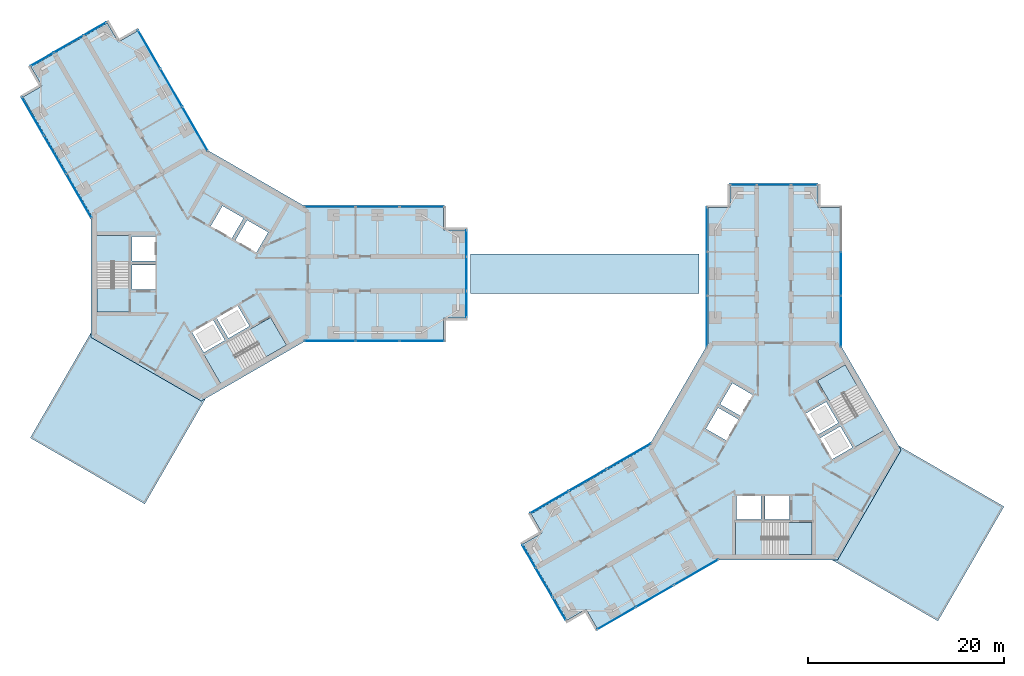
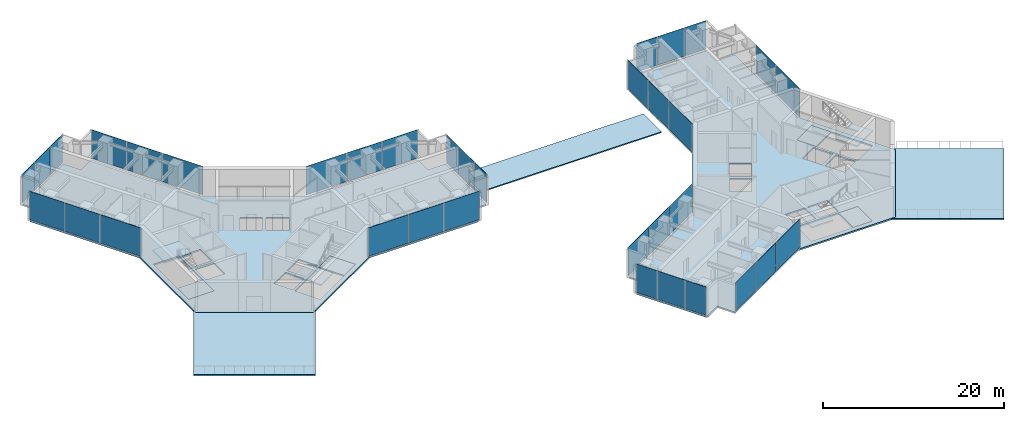
# One storey, part 10 of 18: 35 plates, 13 slabs, 16 elements without a shape of their own.
"""IFC4 building model written with IfcOpenShell, lengths in metres."""

from ifc_helpers import new_model, si_unit, direction, frame, origin, origin_2d, place, context, subcontext, project, spatial, polyline, rectangle, outline, extrude, material, layer, layer_set, type_object, element, aggregate, save


model = new_model("IFC4")

# Units and contexts
model_context = context("Model", 3, precision=1e-05, world=origin(), true_north=direction((0.0, 1.0)))
body_context = subcontext(model_context, "Body", "Model", "MODEL_VIEW")
ifc_project = project(units=[si_unit("LENGTHUNIT", "METRE"), si_unit("AREAUNIT", "SQUARE_METRE"), si_unit("VOLUMEUNIT", "CUBIC_METRE"), si_unit("PLANEANGLEUNIT", "RADIAN"), si_unit("MASSUNIT", "GRAM", prefix="KILO")], contexts=[model_context])

# Site, building, storey
site_placement = place(None, origin())
site = spatial("IfcSite", under=ifc_project, at=site_placement, CompositionType="ELEMENT")
building_placement = place(site_placement, origin())
building = spatial("IfcBuilding", under=site, at=building_placement, Name="Upepo Twin Towers", CompositionType="ELEMENT")
storey_placement = place(building_placement, frame((0.0, 0.0, 170.5)))
storey = spatial("IfcBuildingStorey", under=building, at=storey_placement, Name="L41", CompositionType="ELEMENT", Elevation=170.5)

# Slab
ifc_material_1 = material(Name="Concrete C40/50 on steel deck", Category="concrete")
ifc_layer_1 = layer(ifc_material_1, 0.14990234375)
ifc_layer_set_1 = layer_set([ifc_layer_1], Name="Concrete C40/50 on steel deck")
slab_type_1 = type_object("IfcSlabType", Name="Bridge roof 150 composite", PredefinedType="ROOF", material=ifc_layer_set_1)
slab_1_placement = place(storey_placement, frame((0.0, 0.0, -0.199951171875)))
element("IfcSlab", 1, at=slab_1_placement, inside=storey, type_object=slab_type_1, Name="BR2 roof slab (maintenance access only)", PredefinedType="ROOF", context=body_context, shape_type="SweptSolid", body=[
    extrude(outline(polyline([(27.5, -2.0), (50.840087890625, -2.0), (50.840087890625, 2.0), (27.5, 2.0), (27.5, -2.0)])), origin(), (0.0, 0.0, 1.0), 0.14990234375),
])

# Curtain wall, plates
ifc_material_2 = material(Name="Aluminium and fritted glass", Category="aluminium")
curtain_wall_type = type_object("IfcCurtainWallType", Name="Tower curtain wall TW3, fritted glass", PredefinedType="NOTDEFINED", material=ifc_material_2)
curtain_wall_1_placement = place(storey_placement, origin())
curtain_wall_1 = element("IfcCurtainWall", 2, at=curtain_wall_1_placement, inside=storey, type_object=curtain_wall_type, Name="T1 L41 wing A flank L curtain wall", PredefinedType="NOTDEFINED")
ifc_material_3 = material(Name="Ceramic-fritted laminated glass", Category="glass")
ifc_layer_2 = layer(ifc_material_3, 0.031982421875)
ifc_layer_set_2 = layer_set([ifc_layer_2], Name="Fritted glass panel, 45 per cent dot frit, 32 mm double glazed")
plate_type_1 = type_object("IfcPlateType", Name="Fritted glass panel, 45 per cent dot frit, 32 mm double glazed", PredefinedType="CURTAIN_PANEL", material=ifc_layer_set_2)
plate_1_placement = place(storey_placement, frame((13.134765625, 6.85009765625, 0.14990234375), z_axis=(0.0, 0.0, 1.0), x_axis=(1.0, 0.0, 0.0)))
plate_1 = element("IfcPlate", 3, at=plate_1_placement, type_object=plate_type_1, Name="T1 L41 wing A flank L curtain wall panel 1", PredefinedType="CURTAIN_PANEL", context=body_context, shape_type="SweptSolid", body=[
    extrude(rectangle(XDim=5.165283203125, YDim=0.031982421875, at=origin_2d()), origin(), (0.0, 0.0, 1.0), 3.85009765625),
])
plate_2_placement = place(storey_placement, frame((18.0, 6.85009765625, 0.14990234375), z_axis=(0.0, 0.0, 1.0), x_axis=(1.0, 0.0, 0.0)))
plate_2 = element("IfcPlate", 4, at=plate_2_placement, type_object=plate_type_1, Name="T1 L41 wing A flank L curtain wall panel 2", PredefinedType="CURTAIN_PANEL", context=body_context, shape_type="SweptSolid", body=[
    extrude(rectangle(XDim=4.43505859375, YDim=0.031982421875, at=origin_2d()), origin(), (0.0, 0.0, 1.0), 3.85009765625),
])
plate_3_placement = place(storey_placement, frame((22.53369140625, 6.85009765625, 0.14990234375), z_axis=(0.0, 0.0, 1.0), x_axis=(1.0, 0.0, 0.0)))
plate_3 = element("IfcPlate", 5, at=plate_3_placement, type_object=plate_type_1, Name="T1 L41 wing A flank L curtain wall panel 3", PredefinedType="CURTAIN_PANEL", context=body_context, shape_type="SweptSolid", body=[
    extrude(rectangle(XDim=4.50244140625, YDim=0.031982421875, at=origin_2d()), origin(), (0.0, 0.0, 1.0), 3.85009765625),
])
aggregate(curtain_wall_1, [plate_1, plate_2, plate_3])

curtain_wall_2_placement = place(storey_placement, origin())
curtain_wall_2 = element("IfcCurtainWall", 6, at=curtain_wall_2_placement, inside=storey, type_object=curtain_wall_type, Name="T1 L41 wing A flank R curtain wall", PredefinedType="NOTDEFINED")
plate_4_placement = place(storey_placement, frame((22.53369140625, -6.85009765625, 0.14990234375), z_axis=(0.0, 0.0, 1.0), x_axis=(-1.0, 0.0, 0.0)))
plate_4 = element("IfcPlate", 7, at=plate_4_placement, type_object=plate_type_1, Name="T1 L41 wing A flank R curtain wall panel 1", PredefinedType="CURTAIN_PANEL", context=body_context, shape_type="SweptSolid", body=[
    extrude(rectangle(XDim=4.50244140625, YDim=0.031982421875, at=origin_2d()), origin(), (0.0, 0.0, 1.0), 3.85009765625),
])
plate_5_placement = place(storey_placement, frame((18.0, -6.85009765625, 0.14990234375), z_axis=(0.0, 0.0, 1.0), x_axis=(-1.0, 0.0, 0.0)))
plate_5 = element("IfcPlate", 8, at=plate_5_placement, type_object=plate_type_1, Name="T1 L41 wing A flank R curtain wall panel 2", PredefinedType="CURTAIN_PANEL", context=body_context, shape_type="SweptSolid", body=[
    extrude(rectangle(XDim=4.43505859375, YDim=0.031982421875, at=origin_2d()), origin(), (0.0, 0.0, 1.0), 3.85009765625),
])
plate_6_placement = place(storey_placement, frame((13.134765625, -6.85009765625, 0.14990234375), z_axis=(0.0, 0.0, 1.0), x_axis=(-1.0, 0.0, 0.0)))
plate_6 = element("IfcPlate", 9, at=plate_6_placement, type_object=plate_type_1, Name="T1 L41 wing A flank R curtain wall panel 3", PredefinedType="CURTAIN_PANEL", context=body_context, shape_type="SweptSolid", body=[
    extrude(rectangle(XDim=5.165283203125, YDim=0.031982421875, at=origin_2d()), origin(), (0.0, 0.0, 1.0), 3.85009765625),
])
aggregate(curtain_wall_2, [plate_4, plate_5, plate_6])

# Curtain wall, plate
curtain_wall_3_placement = place(storey_placement, origin())
curtain_wall_3 = element("IfcCurtainWall", 10, at=curtain_wall_3_placement, inside=storey, type_object=curtain_wall_type, Name="T1 L41 wing A nose curtain wall", PredefinedType="NOTDEFINED")
plate_7_placement = place(storey_placement, frame((27.10009765625, 0.0, 0.14990234375), z_axis=(0.0, 0.0, 1.0), x_axis=(0.0, 1.0, 0.0)))
plate_7 = element("IfcPlate", 11, at=plate_7_placement, type_object=plate_type_1, Name="T1 L41 wing A nose curtain wall panel 2", PredefinedType="CURTAIN_PANEL", context=body_context, shape_type="SweptSolid", body=[
    extrude(rectangle(XDim=3.43505859375, YDim=0.031982421875, at=origin_2d()), origin(), (0.0, 0.0, 1.0), 3.85009765625),
])

# Curtain wall, plates
curtain_wall_4_placement = place(storey_placement, origin())
curtain_wall_4 = element("IfcCurtainWall", 12, at=curtain_wall_4_placement, inside=storey, type_object=curtain_wall_type, Name="T1 L41 wing B flank L curtain wall", PredefinedType="NOTDEFINED")
plate_8_placement = place(storey_placement, frame((-12.499755859375, 7.9501953125, 0.14990234375), z_axis=(0.0, 0.0, 1.0), x_axis=(-0.500000026527, 0.866025388469, 0.0)))
plate_8 = element("IfcPlate", 13, at=plate_8_placement, type_object=plate_type_1, Name="T1 L41 wing B flank L curtain wall panel 1", PredefinedType="CURTAIN_PANEL", context=body_context, shape_type="SweptSolid", body=[
    extrude(rectangle(XDim=5.165283203125, YDim=0.031982421875, at=origin_2d()), origin(), (0.0, 0.0, 1.0), 3.85009765625),
])
plate_9_placement = place(storey_placement, frame((-14.932373046875, 12.16357421875, 0.14990234375), z_axis=(0.0, 0.0, 1.0), x_axis=(-0.500000026527, 0.866025388469, 0.0)))
plate_9 = element("IfcPlate", 14, at=plate_9_placement, type_object=plate_type_1, Name="T1 L41 wing B flank L curtain wall panel 2", PredefinedType="CURTAIN_PANEL", context=body_context, shape_type="SweptSolid", body=[
    extrude(rectangle(XDim=4.43505859375, YDim=0.031982421875, at=origin_2d()), origin(), (0.0, 0.0, 1.0), 3.85009765625),
])
plate_10_placement = place(storey_placement, frame((-17.19921875, 16.08984375, 0.14990234375), z_axis=(0.0, 0.0, 1.0), x_axis=(-0.500000026527, 0.866025388469, 0.0)))
plate_10 = element("IfcPlate", 15, at=plate_10_placement, type_object=plate_type_1, Name="T1 L41 wing B flank L curtain wall panel 3", PredefinedType="CURTAIN_PANEL", context=body_context, shape_type="SweptSolid", body=[
    extrude(rectangle(XDim=4.50244140625, YDim=0.031982421875, at=origin_2d()), origin(), (0.0, 0.0, 1.0), 3.85009765625),
])
aggregate(curtain_wall_4, [plate_8, plate_9, plate_10])

curtain_wall_5_placement = place(storey_placement, origin())
curtain_wall_5 = element("IfcCurtainWall", 16, at=curtain_wall_5_placement, inside=storey, type_object=curtain_wall_type, Name="T1 L41 wing B flank R curtain wall", PredefinedType="NOTDEFINED")
plate_11_placement = place(storey_placement, frame((-5.334716796875, 22.939697265625, 0.14990234375), z_axis=(0.0, 0.0, 1.0), x_axis=(0.500000026527, -0.866025388469, 0.0)))
plate_11 = element("IfcPlate", 17, at=plate_11_placement, type_object=plate_type_1, Name="T1 L41 wing B flank R curtain wall panel 1", PredefinedType="CURTAIN_PANEL", context=body_context, shape_type="SweptSolid", body=[
    extrude(rectangle(XDim=4.50244140625, YDim=0.031982421875, at=origin_2d()), origin(), (0.0, 0.0, 1.0), 3.85009765625),
])
plate_12_placement = place(storey_placement, frame((-3.067626953125, 19.013427734375, 0.14990234375), z_axis=(0.0, 0.0, 1.0), x_axis=(0.500000026527, -0.866025388469, 0.0)))
plate_12 = element("IfcPlate", 18, at=plate_12_placement, type_object=plate_type_1, Name="T1 L41 wing B flank R curtain wall panel 2", PredefinedType="CURTAIN_PANEL", context=body_context, shape_type="SweptSolid", body=[
    extrude(rectangle(XDim=4.43505859375, YDim=0.031982421875, at=origin_2d()), origin(), (0.0, 0.0, 1.0), 3.85009765625),
])
plate_13_placement = place(storey_placement, frame((-0.635009765625, 14.800048828125, 0.14990234375), z_axis=(0.0, 0.0, 1.0), x_axis=(0.500000026527, -0.866025388469, 0.0)))
plate_13 = element("IfcPlate", 19, at=plate_13_placement, type_object=plate_type_1, Name="T1 L41 wing B flank R curtain wall panel 3", PredefinedType="CURTAIN_PANEL", context=body_context, shape_type="SweptSolid", body=[
    extrude(rectangle(XDim=5.165283203125, YDim=0.031982421875, at=origin_2d()), origin(), (0.0, 0.0, 1.0), 3.85009765625),
])
aggregate(curtain_wall_5, [plate_11, plate_12, plate_13])

# Curtain wall, plate
curtain_wall_6_placement = place(storey_placement, origin())
curtain_wall_6 = element("IfcCurtainWall", 20, at=curtain_wall_6_placement, inside=storey, type_object=curtain_wall_type, Name="T1 L41 wing B nose curtain wall", PredefinedType="NOTDEFINED")
plate_14_placement = place(storey_placement, frame((-13.550048828125, 23.46923828125, 0.14990234375), z_axis=(0.0, 0.0, 1.0), x_axis=(-0.866025386174, -0.500000030502, 0.0)))
plate_14 = element("IfcPlate", 21, at=plate_14_placement, type_object=plate_type_1, Name="T1 L41 wing B nose curtain wall panel 2", PredefinedType="CURTAIN_PANEL", context=body_context, shape_type="SweptSolid", body=[
    extrude(rectangle(XDim=3.43505859375, YDim=0.031982421875, at=origin_2d()), origin(), (0.0, 0.0, 1.0), 3.85009765625),
])

# Curtain wall, plates
curtain_wall_7_placement = place(storey_placement, origin())
curtain_wall_7 = element("IfcCurtainWall", 22, at=curtain_wall_7_placement, inside=storey, type_object=curtain_wall_type, Name="T2 L41 wing A flank L curtain wall", PredefinedType="NOTDEFINED")
plate_15_placement = place(storey_placement, frame((51.64990234375, -4.865234375, 0.14990234375), z_axis=(0.0, 0.0, 1.0), x_axis=(0.0, 1.0, 0.0)))
plate_15 = element("IfcPlate", 23, at=plate_15_placement, type_object=plate_type_1, Name="T2 L41 wing A flank L curtain wall panel 1", PredefinedType="CURTAIN_PANEL", context=body_context, shape_type="SweptSolid", body=[
    extrude(rectangle(XDim=5.165283203125, YDim=0.031982421875, at=origin_2d()), origin(), (0.0, 0.0, 1.0), 3.85009765625),
])
plate_16_placement = place(storey_placement, frame((51.64990234375, 0.0, 0.14990234375), z_axis=(0.0, 0.0, 1.0), x_axis=(0.0, 1.0, 0.0)))
plate_16 = element("IfcPlate", 24, at=plate_16_placement, type_object=plate_type_1, Name="T2 L41 wing A flank L curtain wall panel 2", PredefinedType="CURTAIN_PANEL", context=body_context, shape_type="SweptSolid", body=[
    extrude(rectangle(XDim=4.43505859375, YDim=0.031982421875, at=origin_2d()), origin(), (0.0, 0.0, 1.0), 3.85009765625),
])
plate_17_placement = place(storey_placement, frame((51.64990234375, 4.53369140625, 0.14990234375), z_axis=(0.0, 0.0, 1.0), x_axis=(0.0, 1.0, 0.0)))
plate_17 = element("IfcPlate", 25, at=plate_17_placement, type_object=plate_type_1, Name="T2 L41 wing A flank L curtain wall panel 3", PredefinedType="CURTAIN_PANEL", context=body_context, shape_type="SweptSolid", body=[
    extrude(rectangle(XDim=4.50244140625, YDim=0.031982421875, at=origin_2d()), origin(), (0.0, 0.0, 1.0), 3.85009765625),
])
aggregate(curtain_wall_7, [plate_15, plate_16, plate_17])

curtain_wall_8_placement = place(storey_placement, origin())
curtain_wall_8 = element("IfcCurtainWall", 26, at=curtain_wall_8_placement, inside=storey, type_object=curtain_wall_type, Name="T2 L41 wing A flank R curtain wall", PredefinedType="NOTDEFINED")
plate_18_placement = place(storey_placement, frame((65.35009765625, 0.0, 0.14990234375), z_axis=(0.0, 0.0, 1.0), x_axis=(0.0, -1.0, 0.0)))
plate_18 = element("IfcPlate", 27, at=plate_18_placement, type_object=plate_type_1, Name="T2 L41 wing A flank R curtain wall panel 2", PredefinedType="CURTAIN_PANEL", context=body_context, shape_type="SweptSolid", body=[
    extrude(rectangle(XDim=4.43505859375, YDim=0.031982421875, at=origin_2d()), origin(), (0.0, 0.0, 1.0), 3.85009765625),
])
plate_19_placement = place(storey_placement, frame((65.35009765625, -4.865234375, 0.14990234375), z_axis=(0.0, 0.0, 1.0), x_axis=(0.0, -1.0, 0.0)))
plate_19 = element("IfcPlate", 28, at=plate_19_placement, type_object=plate_type_1, Name="T2 L41 wing A flank R curtain wall panel 3", PredefinedType="CURTAIN_PANEL", context=body_context, shape_type="SweptSolid", body=[
    extrude(rectangle(XDim=5.165283203125, YDim=0.031982421875, at=origin_2d()), origin(), (0.0, 0.0, 1.0), 3.85009765625),
])
aggregate(curtain_wall_8, [plate_18, plate_19])

# Curtain wall, plate
curtain_wall_9_placement = place(storey_placement, origin())
curtain_wall_9 = element("IfcCurtainWall", 29, at=curtain_wall_9_placement, inside=storey, type_object=curtain_wall_type, Name="T2 L41 wing A nose curtain wall", PredefinedType="NOTDEFINED")
plate_20_placement = place(storey_placement, frame((58.5, 9.10009765625, 0.14990234375), z_axis=(0.0, 0.0, 1.0), x_axis=(-1.0, 0.0, 0.0)))
plate_20 = element("IfcPlate", 30, at=plate_20_placement, type_object=plate_type_1, Name="T2 L41 wing A nose curtain wall panel 2", PredefinedType="CURTAIN_PANEL", context=body_context, shape_type="SweptSolid", body=[
    extrude(rectangle(XDim=3.43505859375, YDim=0.031982421875, at=origin_2d()), origin(), (0.0, 0.0, 1.0), 3.85009765625),
])

# Curtain wall, plates
curtain_wall_10_placement = place(storey_placement, origin())
curtain_wall_10 = element("IfcCurtainWall", 31, at=curtain_wall_10_placement, inside=storey, type_object=curtain_wall_type, Name="T2 L41 wing B flank L curtain wall", PredefinedType="NOTDEFINED")
plate_21_placement = place(storey_placement, frame((50.5498046875, -30.499755859375, 0.14990234375), z_axis=(0.0, 0.0, 1.0), x_axis=(-0.866025388469, -0.500000026527, 0.0)))
plate_21 = element("IfcPlate", 32, at=plate_21_placement, type_object=plate_type_1, Name="T2 L41 wing B flank L curtain wall panel 1", PredefinedType="CURTAIN_PANEL", context=body_context, shape_type="SweptSolid", body=[
    extrude(rectangle(XDim=5.165283203125, YDim=0.031982421875, at=origin_2d()), origin(), (0.0, 0.0, 1.0), 3.85009765625),
])
plate_22_placement = place(storey_placement, frame((46.33642578125, -32.932373046875, 0.14990234375), z_axis=(0.0, 0.0, 1.0), x_axis=(-0.866025388469, -0.500000026527, 0.0)))
plate_22 = element("IfcPlate", 33, at=plate_22_placement, type_object=plate_type_1, Name="T2 L41 wing B flank L curtain wall panel 2", PredefinedType="CURTAIN_PANEL", context=body_context, shape_type="SweptSolid", body=[
    extrude(rectangle(XDim=4.43505859375, YDim=0.031982421875, at=origin_2d()), origin(), (0.0, 0.0, 1.0), 3.85009765625),
])
plate_23_placement = place(storey_placement, frame((42.41015625, -35.19921875, 0.14990234375), z_axis=(0.0, 0.0, 1.0), x_axis=(-0.866025388469, -0.500000026527, 0.0)))
plate_23 = element("IfcPlate", 34, at=plate_23_placement, type_object=plate_type_1, Name="T2 L41 wing B flank L curtain wall panel 3", PredefinedType="CURTAIN_PANEL", context=body_context, shape_type="SweptSolid", body=[
    extrude(rectangle(XDim=4.50244140625, YDim=0.031982421875, at=origin_2d()), origin(), (0.0, 0.0, 1.0), 3.85009765625),
])
aggregate(curtain_wall_10, [plate_21, plate_22, plate_23])

curtain_wall_11_placement = place(storey_placement, origin())
curtain_wall_11 = element("IfcCurtainWall", 35, at=curtain_wall_11_placement, inside=storey, type_object=curtain_wall_type, Name="T2 L41 wing B flank R curtain wall", PredefinedType="NOTDEFINED")
plate_24_placement = place(storey_placement, frame((35.560302734375, -23.334716796875, 0.14990234375), z_axis=(0.0, 0.0, 1.0), x_axis=(0.866025388469, 0.500000026527, 0.0)))
plate_24 = element("IfcPlate", 36, at=plate_24_placement, type_object=plate_type_1, Name="T2 L41 wing B flank R curtain wall panel 1", PredefinedType="CURTAIN_PANEL", context=body_context, shape_type="SweptSolid", body=[
    extrude(rectangle(XDim=4.50244140625, YDim=0.031982421875, at=origin_2d()), origin(), (0.0, 0.0, 1.0), 3.85009765625),
])
plate_25_placement = place(storey_placement, frame((39.486572265625, -21.067626953125, 0.14990234375), z_axis=(0.0, 0.0, 1.0), x_axis=(0.866025388469, 0.500000026527, 0.0)))
plate_25 = element("IfcPlate", 37, at=plate_25_placement, type_object=plate_type_1, Name="T2 L41 wing B flank R curtain wall panel 2", PredefinedType="CURTAIN_PANEL", context=body_context, shape_type="SweptSolid", body=[
    extrude(rectangle(XDim=4.43505859375, YDim=0.031982421875, at=origin_2d()), origin(), (0.0, 0.0, 1.0), 3.85009765625),
])
plate_26_placement = place(storey_placement, frame((43.699951171875, -18.635009765625, 0.14990234375), z_axis=(0.0, 0.0, 1.0), x_axis=(0.866025388469, 0.500000026527, 0.0)))
plate_26 = element("IfcPlate", 38, at=plate_26_placement, type_object=plate_type_1, Name="T2 L41 wing B flank R curtain wall panel 3", PredefinedType="CURTAIN_PANEL", context=body_context, shape_type="SweptSolid", body=[
    extrude(rectangle(XDim=5.165283203125, YDim=0.031982421875, at=origin_2d()), origin(), (0.0, 0.0, 1.0), 3.85009765625),
])
aggregate(curtain_wall_11, [plate_24, plate_25, plate_26])

# Curtain wall, plate
curtain_wall_12_placement = place(storey_placement, origin())
curtain_wall_12 = element("IfcCurtainWall", 39, at=curtain_wall_12_placement, inside=storey, type_object=curtain_wall_type, Name="T2 L41 wing B nose curtain wall", PredefinedType="NOTDEFINED")
plate_27_placement = place(storey_placement, frame((35.03076171875, -31.550048828125, 0.14990234375), z_axis=(0.0, 0.0, 1.0), x_axis=(0.500000030502, -0.866025386174, 0.0)))
plate_27 = element("IfcPlate", 40, at=plate_27_placement, type_object=plate_type_1, Name="T2 L41 wing B nose curtain wall panel 2", PredefinedType="CURTAIN_PANEL", context=body_context, shape_type="SweptSolid", body=[
    extrude(rectangle(XDim=3.43505859375, YDim=0.031982421875, at=origin_2d()), origin(), (0.0, 0.0, 1.0), 3.85009765625),
])

# Plate
ifc_material_4 = material(Name="Clear laminated glass in opening sash", Category="glass")
ifc_layer_3 = layer(ifc_material_4, 0.031982421875)
ifc_layer_set_3 = layer_set([ifc_layer_3], Name="Operable glass panel, 32 mm double glazed")
plate_type_2 = type_object("IfcPlateType", Name="Operable glass panel, 32 mm double glazed", PredefinedType="CURTAIN_PANEL", material=ifc_layer_set_3)
plate_28_placement = place(storey_placement, frame((27.10009765625, -3.108642578125, 0.14990234375), z_axis=(0.0, 0.0, 1.0), x_axis=(0.0, 1.0, 0.0)))
plate_28 = element("IfcPlate", 41, at=plate_28_placement, type_object=plate_type_2, Name="T1 L41 wing A nose curtain wall panel 1", PredefinedType="CURTAIN_PANEL", context=body_context, shape_type="SweptSolid", body=[
    extrude(rectangle(XDim=2.652587890625, YDim=0.031982421875, at=origin_2d()), origin(), (0.0, 0.0, 1.0), 3.85009765625),
])

plate_29_placement = place(storey_placement, frame((27.10009765625, 3.108642578125, 0.14990234375), z_axis=(0.0, 0.0, 1.0), x_axis=(0.0, 1.0, 0.0)))
plate_29 = element("IfcPlate", 42, at=plate_29_placement, type_object=plate_type_2, Name="T1 L41 wing A nose curtain wall panel 3", PredefinedType="CURTAIN_PANEL", context=body_context, shape_type="SweptSolid", body=[
    extrude(rectangle(XDim=2.652587890625, YDim=0.031982421875, at=origin_2d()), origin(), (0.0, 0.0, 1.0), 3.85009765625),
])

aggregate(curtain_wall_3, [plate_28, plate_7, plate_29])

plate_30_placement = place(storey_placement, frame((-10.857666015625, 25.023681640625, 0.14990234375), z_axis=(0.0, 0.0, 1.0), x_axis=(-0.866025386174, -0.500000030502, 0.0)))
plate_30 = element("IfcPlate", 43, at=plate_30_placement, type_object=plate_type_2, Name="T1 L41 wing B nose curtain wall panel 1", PredefinedType="CURTAIN_PANEL", context=body_context, shape_type="SweptSolid", body=[
    extrude(rectangle(XDim=2.652587890625, YDim=0.031982421875, at=origin_2d()), origin(), (0.0, 0.0, 1.0), 3.85009765625),
])

plate_31_placement = place(storey_placement, frame((-16.2421875, 21.914794921875, 0.14990234375), z_axis=(0.0, 0.0, 1.0), x_axis=(-0.866025386174, -0.500000030502, 0.0)))
plate_31 = element("IfcPlate", 44, at=plate_31_placement, type_object=plate_type_2, Name="T1 L41 wing B nose curtain wall panel 3", PredefinedType="CURTAIN_PANEL", context=body_context, shape_type="SweptSolid", body=[
    extrude(rectangle(XDim=2.652587890625, YDim=0.031982421875, at=origin_2d()), origin(), (0.0, 0.0, 1.0), 3.85009765625),
])

aggregate(curtain_wall_6, [plate_30, plate_14, plate_31])

plate_32_placement = place(storey_placement, frame((61.608642578125, 9.10009765625, 0.14990234375), z_axis=(0.0, 0.0, 1.0), x_axis=(-1.0, 0.0, 0.0)))
plate_32 = element("IfcPlate", 45, at=plate_32_placement, type_object=plate_type_2, Name="T2 L41 wing A nose curtain wall panel 1", PredefinedType="CURTAIN_PANEL", context=body_context, shape_type="SweptSolid", body=[
    extrude(rectangle(XDim=2.652587890625, YDim=0.031982421875, at=origin_2d()), origin(), (0.0, 0.0, 1.0), 3.85009765625),
])

plate_33_placement = place(storey_placement, frame((55.391357421875, 9.10009765625, 0.14990234375), z_axis=(0.0, 0.0, 1.0), x_axis=(-1.0, 0.0, 0.0)))
plate_33 = element("IfcPlate", 46, at=plate_33_placement, type_object=plate_type_2, Name="T2 L41 wing A nose curtain wall panel 3", PredefinedType="CURTAIN_PANEL", context=body_context, shape_type="SweptSolid", body=[
    extrude(rectangle(XDim=2.652587890625, YDim=0.031982421875, at=origin_2d()), origin(), (0.0, 0.0, 1.0), 3.85009765625),
])

aggregate(curtain_wall_9, [plate_32, plate_20, plate_33])

plate_34_placement = place(storey_placement, frame((33.476318359375, -28.857666015625, 0.14990234375), z_axis=(0.0, 0.0, 1.0), x_axis=(0.500000030502, -0.866025386174, 0.0)))
plate_34 = element("IfcPlate", 47, at=plate_34_placement, type_object=plate_type_2, Name="T2 L41 wing B nose curtain wall panel 1", PredefinedType="CURTAIN_PANEL", context=body_context, shape_type="SweptSolid", body=[
    extrude(rectangle(XDim=2.652587890625, YDim=0.031982421875, at=origin_2d()), origin(), (0.0, 0.0, 1.0), 3.85009765625),
])

plate_35_placement = place(storey_placement, frame((36.585205078125, -34.2421875, 0.14990234375), z_axis=(0.0, 0.0, 1.0), x_axis=(0.500000030502, -0.866025386174, 0.0)))
plate_35 = element("IfcPlate", 48, at=plate_35_placement, type_object=plate_type_2, Name="T2 L41 wing B nose curtain wall panel 3", PredefinedType="CURTAIN_PANEL", context=body_context, shape_type="SweptSolid", body=[
    extrude(rectangle(XDim=2.652587890625, YDim=0.031982421875, at=origin_2d()), origin(), (0.0, 0.0, 1.0), 3.85009765625),
])

aggregate(curtain_wall_12, [plate_34, plate_27, plate_35])

# Slabs
ifc_material_5 = material(Name="Concrete C40/50", Category="concrete")
ifc_layer_4 = layer(ifc_material_5, 0.199951171875)
ifc_layer_set_4 = layer_set([ifc_layer_4], Name="Concrete C40/50")
slab_type_2 = type_object("IfcSlabType", Name="Sky terrace slab 200 RC", PredefinedType="ROOF", material=ifc_layer_set_4)
slab_2_placement = place(storey_placement, frame((0.0, 0.0, -0.199951171875)))
element("IfcSlab", 49, at=slab_2_placement, inside=storey, type_object=slab_type_2, Name="T1 L41 sky terrace slab with planting beds", PredefinedType="ROOF", context=body_context, shape_type="SweptSolid", body=[
    extrude(outline(polyline([(-11.25830078125, -6.0), (-11.25830078125, -6.5), (0.0, -13.0), (10.825439453125, -6.75), (0.43310546875, -12.75), (-5.779296875, -23.510009765625), (-17.470703125, -16.760009765625), (-11.25830078125, -6.0)])), origin(), (0.0, 0.0, 1.0), 0.199951171875),
])
slab_3_placement = place(storey_placement, frame((0.0, 0.0, -0.199951171875)))
element("IfcSlab", 50, at=slab_3_placement, inside=storey, type_object=slab_type_2, Name="T2 L41 sky terrace slab with planting beds", PredefinedType="ROOF", context=body_context, shape_type="SweptSolid", body=[
    extrude(outline(polyline([(64.5, -29.25830078125), (65.0, -29.25830078125), (71.5, -18.0), (65.25, -7.174560546875), (71.25, -17.56689453125), (82.010009765625, -23.779296875), (75.260009765625, -35.470703125), (64.5, -29.25830078125)])), origin(), (0.0, 0.0, 1.0), 0.199951171875),
])

# Stair, slabs
ifc_material_6 = material(Name="Concrete C40/50", Category="concrete")
stair_type = type_object("IfcStairType", Name="Core stair, two flights", PredefinedType="HALF_TURN_STAIR", material=ifc_material_6)
stair_1_placement = place(storey_placement, origin())
stair_1 = element("IfcStair", 51, at=stair_1_placement, inside=storey, type_object=stair_type, Name="T1 stair S1 L41", PredefinedType="HALF_TURN_STAIR")
ifc_material_7 = material(Name="Concrete C40/50", Category="concrete")
ifc_layer_5 = layer(ifc_material_7, 0.199951171875)
ifc_layer_set_5 = layer_set([ifc_layer_5], Name="Concrete C40/50")
slab_type_3 = type_object("IfcSlabType", Name="Stair landing 200 RC", PredefinedType="LANDING", material=ifc_layer_set_5)
slab_4_placement = place(storey_placement, frame((0.0, 0.0, -0.199951171875)))
slab_4 = element("IfcSlab", 52, at=slab_4_placement, type_object=slab_type_3, Name="Stair S1 landing 1", PredefinedType="LANDING", context=body_context, shape_type="SweptSolid", body=[
    extrude(outline(polyline([(-7.39990234375, -1.419921875), (-10.658447265625, -1.419921875), (-10.658447265625, -3.89990234375), (-7.39990234375, -3.89990234375), (-7.39990234375, -1.419921875)])), origin(), (0.0, 0.0, 1.0), 0.199951171875),
])
slab_5_placement = place(storey_placement, frame((0.0, 0.0, 1.800048828125)))
slab_5 = element("IfcSlab", 53, at=slab_5_placement, type_object=slab_type_3, Name="Stair S1 landing 2", PredefinedType="LANDING", context=body_context, shape_type="SweptSolid", body=[
    extrude(outline(polyline([(-7.300048828125, 3.89990234375), (-10.75830078125, 3.89990234375), (-10.75830078125, 1.179931640625), (-7.300048828125, 1.179931640625), (-7.300048828125, 3.89990234375)])), origin(), (0.0, 0.0, 1.0), 0.199951171875),
])
aggregate(stair_1, [slab_4, slab_5])

stair_2_placement = place(storey_placement, origin())
stair_2 = element("IfcStair", 54, at=stair_2_placement, inside=storey, type_object=stair_type, Name="T1 stair S2 L41", PredefinedType="HALF_TURN_STAIR")
slab_6_placement = place(storey_placement, frame((0.0, 0.0, -0.199951171875)))
slab_6 = element("IfcSlab", 55, at=slab_6_placement, type_object=slab_type_3, Name="Stair S2 landing 1", PredefinedType="LANDING", context=body_context, shape_type="SweptSolid", body=[
    extrude(outline(polyline([(4.9296875, -5.698486328125), (6.558837890625, -8.520263671875), (8.70654296875, -7.2802734375), (7.077392578125, -4.45849609375), (4.9296875, -5.698486328125)])), origin(), (0.0, 0.0, 1.0), 0.199951171875),
])
slab_7_placement = place(storey_placement, frame((0.0, 0.0, 1.800048828125)))
slab_7 = element("IfcSlab", 56, at=slab_7_placement, type_object=slab_type_3, Name="Stair S2 landing 2", PredefinedType="LANDING", context=body_context, shape_type="SweptSolid", body=[
    extrude(outline(polyline([(0.2724609375, -8.27197265625), (2.001708984375, -11.26708984375), (4.357177734375, -9.906982421875), (2.628173828125, -6.911865234375), (0.2724609375, -8.27197265625)])), origin(), (0.0, 0.0, 1.0), 0.199951171875),
])
aggregate(stair_2, [slab_6, slab_7])

stair_3_placement = place(storey_placement, origin())
stair_3 = element("IfcStair", 57, at=stair_3_placement, inside=storey, type_object=stair_type, Name="T2 stair S1 L41", PredefinedType="HALF_TURN_STAIR")
slab_8_placement = place(storey_placement, frame((0.0, 0.0, -0.199951171875)))
slab_8 = element("IfcSlab", 58, at=slab_8_placement, type_object=slab_type_3, Name="Stair S1 landing 1", PredefinedType="LANDING", context=body_context, shape_type="SweptSolid", body=[
    extrude(outline(polyline([(59.919921875, -25.39990234375), (59.919921875, -28.658447265625), (62.39990234375, -28.658447265625), (62.39990234375, -25.39990234375), (59.919921875, -25.39990234375)])), origin(), (0.0, 0.0, 1.0), 0.199951171875),
])
slab_9_placement = place(storey_placement, frame((0.0, 0.0, 1.800048828125)))
slab_9 = element("IfcSlab", 59, at=slab_9_placement, type_object=slab_type_3, Name="Stair S1 landing 2", PredefinedType="LANDING", context=body_context, shape_type="SweptSolid", body=[
    extrude(outline(polyline([(54.60009765625, -25.300048828125), (54.60009765625, -28.75830078125), (57.320068359375, -28.75830078125), (57.320068359375, -25.300048828125), (54.60009765625, -25.300048828125)])), origin(), (0.0, 0.0, 1.0), 0.199951171875),
])
aggregate(stair_3, [slab_8, slab_9])

stair_4_placement = place(storey_placement, origin())
stair_4 = element("IfcStair", 60, at=stair_4_placement, inside=storey, type_object=stair_type, Name="T2 stair S2 L41", PredefinedType="HALF_TURN_STAIR")
slab_10_placement = place(storey_placement, frame((0.0, 0.0, -0.199951171875)))
slab_10 = element("IfcSlab", 61, at=slab_10_placement, type_object=slab_type_3, Name="Stair S2 landing 1", PredefinedType="LANDING", context=body_context, shape_type="SweptSolid", body=[
    extrude(outline(polyline([(64.198486328125, -13.0703125), (67.020263671875, -11.441162109375), (65.7802734375, -9.29345703125), (62.95849609375, -10.922607421875), (64.198486328125, -13.0703125)])), origin(), (0.0, 0.0, 1.0), 0.199951171875),
])
slab_11_placement = place(storey_placement, frame((0.0, 0.0, 1.800048828125)))
slab_11 = element("IfcSlab", 62, at=slab_11_placement, type_object=slab_type_3, Name="Stair S2 landing 2", PredefinedType="LANDING", context=body_context, shape_type="SweptSolid", body=[
    extrude(outline(polyline([(66.77197265625, -17.7275390625), (69.76708984375, -15.998291015625), (68.406982421875, -13.642822265625), (65.411865234375, -15.371826171875), (66.77197265625, -17.7275390625)])), origin(), (0.0, 0.0, 1.0), 0.199951171875),
])
aggregate(stair_4, [slab_10, slab_11])

# Slabs
ifc_material_8 = material(Name="Concrete C40/50", Category="concrete")
ifc_layer_6 = layer(ifc_material_8, 0.199951171875)
ifc_layer_set_6 = layer_set([ifc_layer_6], Name="Concrete C40/50")
slab_type_4 = type_object("IfcSlabType", Name="Tower floor slab 200 RC", PredefinedType="FLOOR", material=ifc_layer_set_6)
slab_12_placement = place(storey_placement, frame((0.0, 0.0, -0.199951171875)))
element("IfcSlab", 63, at=slab_12_placement, inside=storey, type_object=slab_type_4, Name="T1 L41 floor slab", PredefinedType="FLOOR", context=body_context, shape_type="SweptSolid", body=[
    extrude(outline(polyline([(10.825439453125, 6.75), (24.75, 6.75), (24.75, 4.5), (27.0, 4.5), (27.0, -4.5), (24.75, -4.5), (24.75, -6.75), (10.825439453125, -6.75), (0.0, -13.0), (-11.25830078125, -6.5), (-11.25830078125, 6.0), (-18.220703125, 18.05908203125), (-16.272216796875, 19.18408203125), (-17.397216796875, 21.132568359375), (-9.602783203125, 25.632568359375), (-8.477783203125, 23.68408203125), (-6.529296875, 24.80908203125), (0.43310546875, 12.75), (10.825439453125, 6.75)]), holes=[polyline([(5.640869140625, 2.17041015625), (6.8408203125, 4.248779296875), (4.67578125, 5.498779296875), (3.475830078125, 3.42041015625), (5.640869140625, 2.17041015625)]), polyline([(3.12939453125, 3.620361328125), (4.329345703125, 5.69873046875), (2.164306640625, 6.94873046875), (0.96435546875, 4.870361328125), (3.12939453125, 3.620361328125)]), polyline([(-4.699951171875, 3.800048828125), (-7.10009765625, 3.800048828125), (-7.10009765625, 1.300048828125), (-4.699951171875, 1.300048828125), (-4.699951171875, 3.800048828125)]), polyline([(-4.699951171875, 0.89990234375), (-7.10009765625, 0.89990234375), (-7.10009765625, -1.60009765625), (-4.699951171875, -1.60009765625), (-4.699951171875, 0.89990234375)]), polyline([(-7.39990234375, 3.89990234375), (-10.658447265625, 3.89990234375), (-10.658447265625, -3.89990234375), (-7.39990234375, -3.89990234375), (-7.39990234375, 3.89990234375)]), polyline([(-0.94091796875, -5.97021484375), (0.259033203125, -8.048828125), (2.424072265625, -6.798828125), (1.22412109375, -4.72021484375), (-0.94091796875, -5.97021484375)]), polyline([(1.570556640625, -4.520263671875), (2.7705078125, -6.598876953125), (4.935546875, -5.348876953125), (3.735595703125, -3.270263671875), (1.570556640625, -4.520263671875)]), polyline([(0.322509765625, -8.358642578125), (1.95166015625, -11.180419921875), (8.70654296875, -7.2802734375), (7.077392578125, -4.45849609375), (0.322509765625, -8.358642578125)])]), origin(), (0.0, 0.0, 1.0), 0.199951171875),
])
slab_13_placement = place(storey_placement, frame((0.0, 0.0, -0.199951171875)))
element("IfcSlab", 64, at=slab_13_placement, inside=storey, type_object=slab_type_4, Name="T2 L41 floor slab", PredefinedType="FLOOR", context=body_context, shape_type="SweptSolid", body=[
    extrude(outline(polyline([(51.75, -7.174560546875), (51.75, 6.75), (54.0, 6.75), (54.0, 9.0), (63.0, 9.0), (63.0, 6.75), (65.25, 6.75), (65.25, -7.174560546875), (71.5, -18.0), (65.0, -29.25830078125), (52.5, -29.25830078125), (40.44091796875, -36.220703125), (39.31591796875, -34.272216796875), (37.367431640625, -35.397216796875), (32.867431640625, -27.602783203125), (34.81591796875, -26.477783203125), (33.69091796875, -24.529296875), (45.75, -17.56689453125), (51.75, -7.174560546875)]), holes=[polyline([(56.32958984375, -12.359130859375), (54.251220703125, -11.1591796875), (53.001220703125, -13.32421875), (55.07958984375, -14.524169921875), (56.32958984375, -12.359130859375)]), polyline([(54.879638671875, -14.87060546875), (52.80126953125, -13.670654296875), (51.55126953125, -15.835693359375), (53.629638671875, -17.03564453125), (54.879638671875, -14.87060546875)]), polyline([(54.699951171875, -22.699951171875), (54.699951171875, -25.10009765625), (57.199951171875, -25.10009765625), (57.199951171875, -22.699951171875), (54.699951171875, -22.699951171875)]), polyline([(57.60009765625, -22.699951171875), (57.60009765625, -25.10009765625), (60.10009765625, -25.10009765625), (60.10009765625, -22.699951171875), (57.60009765625, -22.699951171875)]), polyline([(54.60009765625, -25.39990234375), (54.60009765625, -28.658447265625), (62.39990234375, -28.658447265625), (62.39990234375, -25.39990234375), (54.60009765625, -25.39990234375)]), polyline([(64.47021484375, -18.94091796875), (66.548828125, -17.740966796875), (65.298828125, -15.575927734375), (63.22021484375, -16.77587890625), (64.47021484375, -18.94091796875)]), polyline([(63.020263671875, -16.429443359375), (65.098876953125, -15.2294921875), (63.848876953125, -13.064453125), (61.770263671875, -14.264404296875), (63.020263671875, -16.429443359375)]), polyline([(66.858642578125, -17.677490234375), (69.680419921875, -16.04833984375), (65.7802734375, -9.29345703125), (62.95849609375, -10.922607421875), (66.858642578125, -17.677490234375)])]), origin(), (0.0, 0.0, 1.0), 0.199951171875),
])

save(model, "model.ifc")
